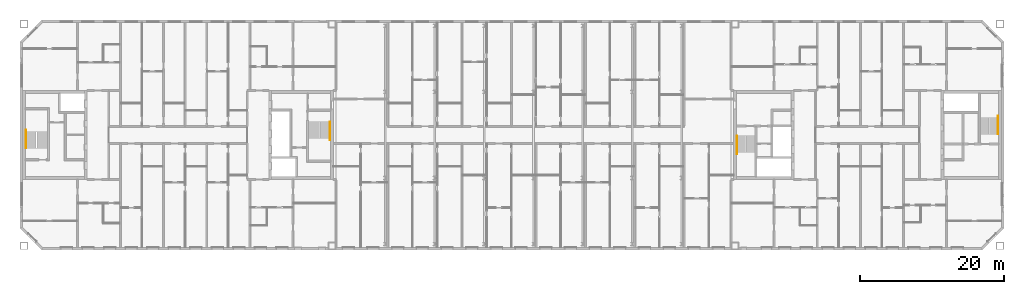
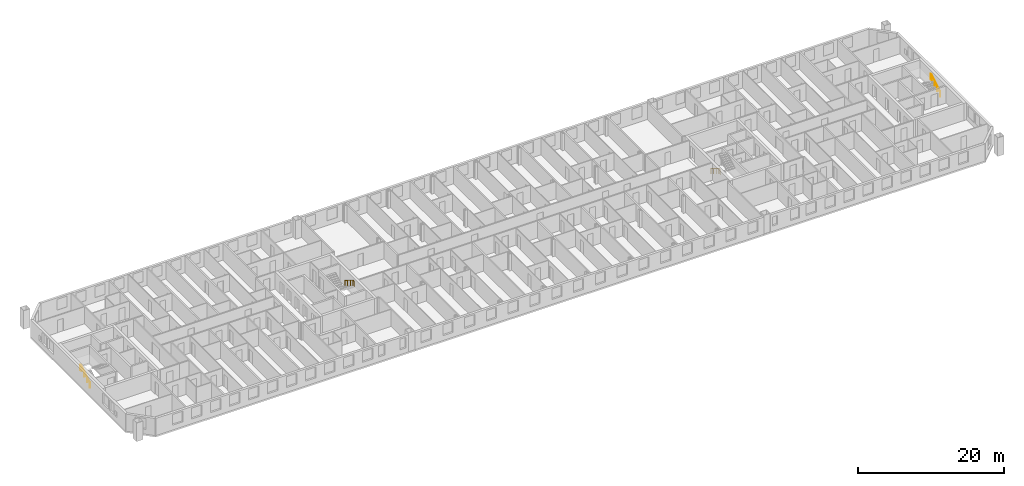
# One storey, part 19 of 19: 4 railings.
"""IFC4 building model written with IfcOpenShell, lengths in metres."""

from ifc_helpers import new_model, si_unit, direction, frame, origin, origin_2d, place, context, subcontext, project, spatial, circle, extrude, material, type_object, element, save


model = new_model("IFC4")

# Units and contexts
model_context = context("Model", 3, precision=1e-05, world=origin(), true_north=direction((0.0, 1.0)))
body_context = subcontext(model_context, "Body", "Model", "MODEL_VIEW")
ifc_project = project(units=[si_unit("LENGTHUNIT", "METRE"), si_unit("AREAUNIT", "SQUARE_METRE"), si_unit("VOLUMEUNIT", "CUBIC_METRE"), si_unit("PLANEANGLEUNIT", "RADIAN"), si_unit("MASSUNIT", "GRAM", prefix="KILO")], contexts=[model_context])

# Site, building, storey
site_placement = place(None, origin())
site = spatial("IfcSite", under=ifc_project, at=site_placement, CompositionType="ELEMENT")
building_placement = place(site_placement, origin())
building = spatial("IfcBuilding", under=site, at=building_placement, Name="Tuart Gate Housing", CompositionType="ELEMENT")
storey_placement = place(building_placement, frame((0.0, 0.0, 205.89990234375)))
storey = spatial("IfcBuildingStorey", under=building, at=storey_placement, Name="L58", CompositionType="ELEMENT", Elevation=205.89990234375)

# Railings
ifc_material = material(Name="Stainless steel", Category="steel")
railing_type = type_object("IfcRailingType", Name="Stair handrail 900", PredefinedType="HANDRAIL", material=ifc_material)
railing_1_placement = place(storey_placement, frame((75.179931640625, 71.824951171875, 0.17236328125)))
element("IfcRailing", 1, at=railing_1_placement, inside=storey, type_object=railing_type, Name="Stair handrail SA1.1", PredefinedType="HANDRAIL", context=body_context, shape_type="SweptSolid", body=[
    extrude(circle(Radius=0.02392578125, at=origin_2d()), frame((0.0, 0.0, 0.8759765625), z_axis=(0.0, -0.85178898068, 0.523885037382), x_axis=(1.0, 0.0, 0.0)), (0.0, 0.0, 1.0), 2.629638671875),
    extrude(circle(Radius=0.02392578125, at=origin_2d()), frame((0.0, -2.239990234375, 2.25341796875), z_axis=(0.0, -1.0, 0.0), x_axis=(1.0, 0.0, 0.0)), (0.0, 0.0, 1.0), 0.300048828125),
    extrude(circle(Radius=0.02099609375, at=origin_2d()), origin(), (0.0, 0.0, 1.0), 0.851806640625),
    extrude(circle(Radius=0.02099609375, at=origin_2d()), frame((0.0, -0.74658203125, 0.459228515625)), (0.0, 0.0, 1.0), 0.851806640625),
    extrude(circle(Radius=0.02099609375, at=origin_2d()), frame((0.0, -1.493408203125, 0.91845703125)), (0.0, 0.0, 1.0), 0.851806640625),
    extrude(circle(Radius=0.02099609375, at=origin_2d()), frame((0.0, -2.239990234375, 1.377685546875)), (0.0, 0.0, 1.0), 0.851806640625),
    extrude(circle(Radius=0.02099609375, at=origin_2d()), frame((0.0, -2.5400390625, 1.377685546875)), (0.0, 0.0, 1.0), 0.851806640625),
])
railing_2_placement = place(storey_placement, frame((32.820068359375, 68.175048828125, 0.17236328125)))
element("IfcRailing", 2, at=railing_2_placement, inside=storey, type_object=railing_type, Name="Stair handrail SA2.1", PredefinedType="HANDRAIL", context=body_context, shape_type="SweptSolid", body=[
    extrude(circle(Radius=0.02392578125, at=origin_2d()), frame((0.0, 0.0, 0.8759765625), z_axis=(0.0, 0.85178898068, 0.523885037382), x_axis=(-1.0, 0.0, 0.0)), (0.0, 0.0, 1.0), 2.629638671875),
    extrude(circle(Radius=0.02392578125, at=origin_2d()), frame((0.0, 2.239990234375, 2.25341796875), z_axis=(0.0, 1.0, 0.0), x_axis=(-1.0, 0.0, 0.0)), (0.0, 0.0, 1.0), 0.300048828125),
    extrude(circle(Radius=0.02099609375, at=origin_2d()), origin(), (0.0, 0.0, 1.0), 0.851806640625),
    extrude(circle(Radius=0.02099609375, at=origin_2d()), frame((0.0, 0.74658203125, 0.459228515625)), (0.0, 0.0, 1.0), 0.851806640625),
    extrude(circle(Radius=0.02099609375, at=origin_2d()), frame((0.0, 1.493408203125, 0.91845703125)), (0.0, 0.0, 1.0), 0.851806640625),
    extrude(circle(Radius=0.02099609375, at=origin_2d()), frame((0.0, 2.239990234375, 1.377685546875)), (0.0, 0.0, 1.0), 0.851806640625),
    extrude(circle(Radius=0.02099609375, at=origin_2d()), frame((0.0, 2.5400390625, 1.377685546875)), (0.0, 0.0, 1.0), 0.851806640625),
])
railing_3_placement = place(storey_placement, frame((131.820068359375, 69.875, 0.17236328125)))
element("IfcRailing", 3, at=railing_3_placement, inside=storey, type_object=railing_type, Name="Stair handrail SB1.1", PredefinedType="HANDRAIL", context=body_context, shape_type="SweptSolid", body=[
    extrude(circle(Radius=0.02392578125, at=origin_2d()), frame((0.0, 0.0, 0.8759765625), z_axis=(0.0, -0.85178898068, 0.523885037382), x_axis=(1.0, 0.0, 0.0)), (0.0, 0.0, 1.0), 2.629638671875),
    extrude(circle(Radius=0.02392578125, at=origin_2d()), frame((0.0, -2.239990234375, 2.25341796875), z_axis=(0.0, -1.0, 0.0), x_axis=(1.0, 0.0, 0.0)), (0.0, 0.0, 1.0), 0.300048828125),
    extrude(circle(Radius=0.02099609375, at=origin_2d()), origin(), (0.0, 0.0, 1.0), 0.851806640625),
    extrude(circle(Radius=0.02099609375, at=origin_2d()), frame((0.0, -0.74658203125, 0.459228515625)), (0.0, 0.0, 1.0), 0.851806640625),
    extrude(circle(Radius=0.02099609375, at=origin_2d()), frame((0.0, -1.493408203125, 0.91845703125)), (0.0, 0.0, 1.0), 0.851806640625),
    extrude(circle(Radius=0.02099609375, at=origin_2d()), frame((0.0, -2.239990234375, 1.377685546875)), (0.0, 0.0, 1.0), 0.851806640625),
    extrude(circle(Radius=0.02099609375, at=origin_2d()), frame((0.0, -2.5400390625, 1.377685546875)), (0.0, 0.0, 1.0), 0.851806640625),
])
railing_4_placement = place(storey_placement, frame((168.179931640625, 70.125, 0.17236328125)))
element("IfcRailing", 4, at=railing_4_placement, inside=storey, type_object=railing_type, Name="Stair handrail SB2.1", PredefinedType="HANDRAIL", context=body_context, shape_type="SweptSolid", body=[
    extrude(circle(Radius=0.02392578125, at=origin_2d()), frame((0.0, 0.0, 0.8759765625), z_axis=(0.0, 0.85178898068, 0.523885037382), x_axis=(-1.0, 0.0, 0.0)), (0.0, 0.0, 1.0), 2.629638671875),
    extrude(circle(Radius=0.02392578125, at=origin_2d()), frame((0.0, 2.239990234375, 2.25341796875), z_axis=(0.0, 1.0, 0.0), x_axis=(-1.0, 0.0, 0.0)), (0.0, 0.0, 1.0), 0.300048828125),
    extrude(circle(Radius=0.02099609375, at=origin_2d()), origin(), (0.0, 0.0, 1.0), 0.851806640625),
    extrude(circle(Radius=0.02099609375, at=origin_2d()), frame((0.0, 0.74658203125, 0.459228515625)), (0.0, 0.0, 1.0), 0.851806640625),
    extrude(circle(Radius=0.02099609375, at=origin_2d()), frame((0.0, 1.493408203125, 0.91845703125)), (0.0, 0.0, 1.0), 0.851806640625),
    extrude(circle(Radius=0.02099609375, at=origin_2d()), frame((0.0, 2.239990234375, 1.377685546875)), (0.0, 0.0, 1.0), 0.851806640625),
    extrude(circle(Radius=0.02099609375, at=origin_2d()), frame((0.0, 2.5400390625, 1.377685546875)), (0.0, 0.0, 1.0), 0.851806640625),
])

save(model, "model.ifc")
